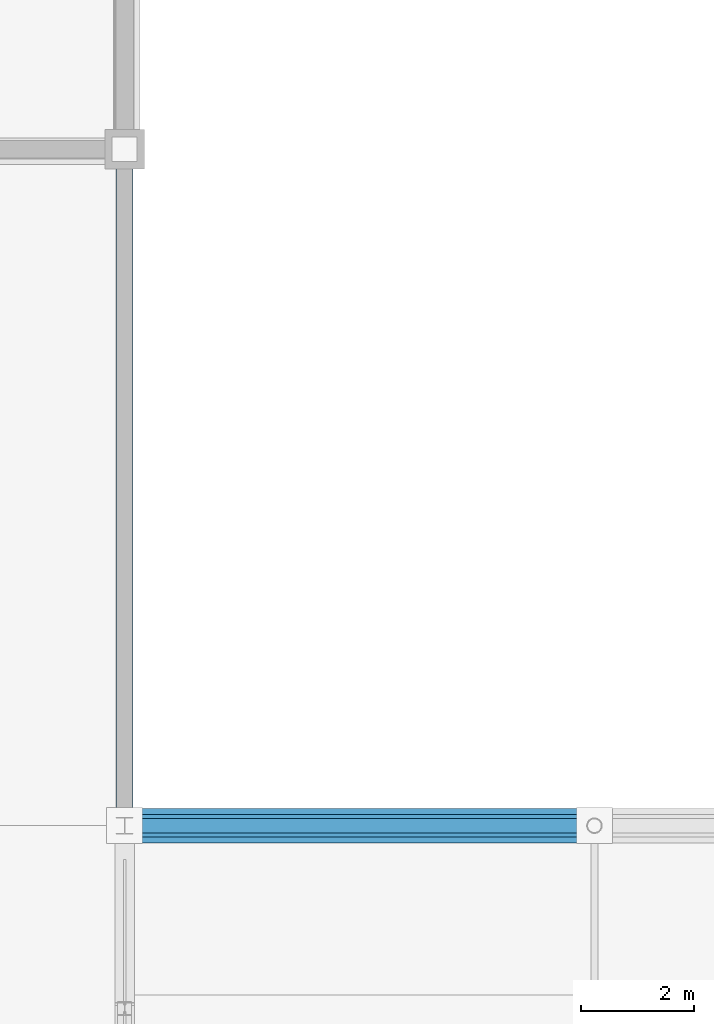
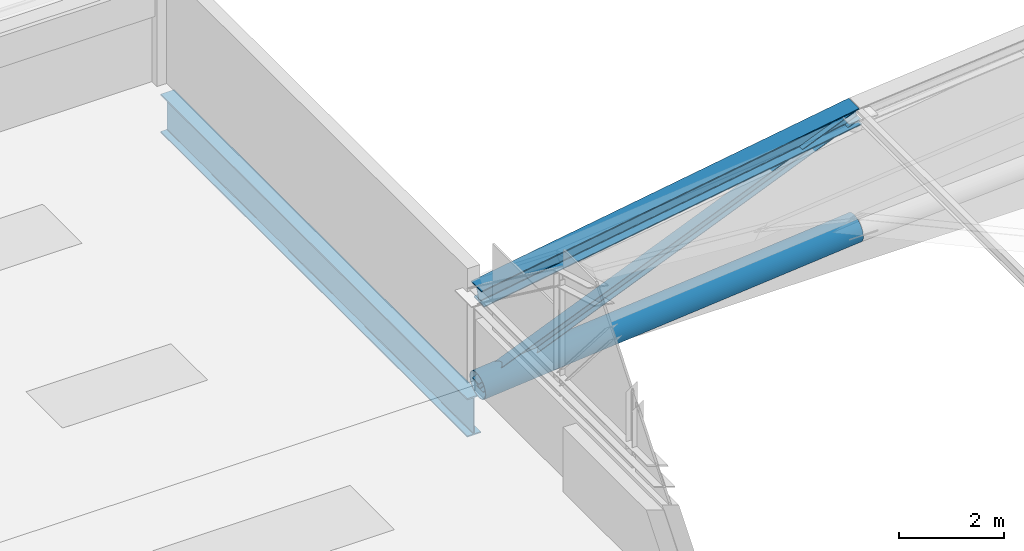
# One storey, part 39 of 117: 3 members, 1 beam.
"""IFC4 building model written with IfcOpenShell, lengths in metres."""

from ifc_helpers import new_model, si_unit, direction, frame, origin, origin_2d, place, context, subcontext, project, spatial, hollow_circle, i_section, extrude, material, material_profile, profile_set, type_object, element, save


model = new_model("IFC4")

# Units and contexts
model_context = context("Model", 3, precision=1e-05, world=origin(), true_north=direction((0.0, 1.0)))
body_context = subcontext(model_context, "Body", "Model", "MODEL_VIEW")
ifc_project = project(units=[si_unit("LENGTHUNIT", "METRE"), si_unit("AREAUNIT", "SQUARE_METRE"), si_unit("VOLUMEUNIT", "CUBIC_METRE"), si_unit("PLANEANGLEUNIT", "RADIAN"), si_unit("MASSUNIT", "GRAM", prefix="KILO")], contexts=[model_context])

# Site, building, storey
site_placement = place(None, origin())
site = spatial("IfcSite", under=ifc_project, at=site_placement, CompositionType="ELEMENT")
building_placement = place(site_placement, origin())
building = spatial("IfcBuilding", under=site, at=building_placement, Name="Kazenohara Klinker Stadium", CompositionType="ELEMENT")
storey_placement = place(building_placement, frame((0.0, 0.0, 31.199951171875)))
storey = spatial("IfcBuildingStorey", under=building, at=storey_placement, Name="RF", CompositionType="ELEMENT", Elevation=31.199951171875)

# Members
ifc_material = material(Name="Steel S355", Category="steel")
ifc_material_profile_1 = material_profile(ifc_material, i_section(OverallWidth=0.25, OverallDepth=0.25, WebThickness=0.009033203125, FlangeThickness=0.013916015625, FilletRadius=0.012939453125, at=origin_2d()), Name="H-250x250x9x14")
ifc_profile_set_1 = profile_set([ifc_material_profile_1], Name="Steel S355")
member_type_1 = type_object("IfcMemberType", Name="MEM-BRC02", PredefinedType="BRACE", material=ifc_profile_set_1)
member_1_placement = place(storey_placement, frame((24.0, 132.0, -0.02001953125), z_axis=(0.923164118975, 0.0, 0.384406047608), x_axis=(0.0, 1.0, 0.0)))
element("IfcMember", 1, at=member_1_placement, inside=storey, type_object=member_type_1, Name="ROOF TRUSS RT-W08 web diagonal 1", PredefinedType="BRACE", context=body_context, shape_type="SweptSolid", body=[
    extrude(i_section(OverallWidth=0.25, OverallDepth=0.25, WebThickness=0.009033203125, FlangeThickness=0.013916015625, FilletRadius=0.012939453125, at=origin_2d()), origin(), (0.0, 0.0, 1.0), 9.02685546875),
])
ifc_material_profile_2 = material_profile(ifc_material, i_section(OverallWidth=0.39990234375, OverallDepth=0.39990234375, WebThickness=0.012939453125, FlangeThickness=0.02099609375, FilletRadius=0.02197265625, at=origin_2d()), Name="H-400x400x13x21")
ifc_profile_set_2 = profile_set([ifc_material_profile_2], Name="Steel S355")
member_type_2 = type_object("IfcMemberType", Name="MEM-CHD01", PredefinedType="CHORD", material=ifc_profile_set_2)
member_2_placement = place(storey_placement, frame((24.0, 132.0, 2.10009765625), z_axis=(0.987133250968, 0.0, 0.159899796227), x_axis=(0.0, 1.0, 0.0)))
element("IfcMember", 2, at=member_2_placement, inside=storey, type_object=member_type_2, Name="ROOF TRUSS RT-W08 top arched chord 1", PredefinedType="CHORD", context=body_context, shape_type="SweptSolid", body=[
    extrude(i_section(OverallWidth=0.39990234375, OverallDepth=0.39990234375, WebThickness=0.012939453125, FlangeThickness=0.02099609375, FilletRadius=0.02197265625, at=origin_2d()), origin(), (0.0, 0.0, 1.0), 8.44189453125),
])
ifc_material_profile_3 = material_profile(ifc_material, hollow_circle(Radius=0.3046875, WallThickness=0.01611328125, at=origin_2d()), Name="CHS-609.6x16")
ifc_profile_set_3 = profile_set([ifc_material_profile_3], Name="Steel S355")
member_type_3 = type_object("IfcMemberType", Name="MEM-CHD05", PredefinedType="CHORD", material=ifc_profile_set_3)
member_3_placement = place(storey_placement, frame((24.0, 132.0, -0.02001953125), z_axis=(0.995757965817, 0.0, 0.092011268397), x_axis=(0.0, 1.0, 0.0)))
element("IfcMember", 3, at=member_3_placement, inside=storey, type_object=member_type_3, Name="ROOF TRUSS RT-W08 bottom arched chord 1", PredefinedType="CHORD", context=body_context, shape_type="SweptSolid", body=[
    extrude(hollow_circle(Radius=0.3046875, WallThickness=0.01611328125, at=origin_2d()), origin(), (0.0, 0.0, 1.0), 8.36865234375),
])

# Beam
ifc_material_profile_4 = material_profile(ifc_material, i_section(OverallWidth=0.300048828125, OverallDepth=0.89990234375, WebThickness=0.01611328125, FlangeThickness=0.028076171875, FilletRadius=0.02197265625, at=origin_2d()), Name="H-900x300x16x28")
ifc_profile_set_4 = profile_set([ifc_material_profile_4], Name="Steel S355")
beam_type = type_object("IfcBeamType", Name="RING-RB01", PredefinedType="USERDEFINED", material=ifc_profile_set_4)
beam_placement = place(storey_placement, frame((24.0, 132.139892578125, -0.820068359375), z_axis=(0.0, 1.0, 0.0), x_axis=(-1.0, 0.0, 0.0)))
element("IfcBeam", 4, at=beam_placement, inside=storey, type_object=beam_type, Name="Roof ring beam RB01 W-OUT M-N", ObjectType="RING BEAM", PredefinedType="USERDEFINED", context=body_context, shape_type="SweptSolid", body=[
    extrude(i_section(OverallWidth=0.300048828125, OverallDepth=0.89990234375, WebThickness=0.01611328125, FlangeThickness=0.028076171875, FilletRadius=0.02197265625, at=origin_2d()), origin(), (0.0, 0.0, 1.0), 11.72021484375),
])

save(model, "model.ifc")
